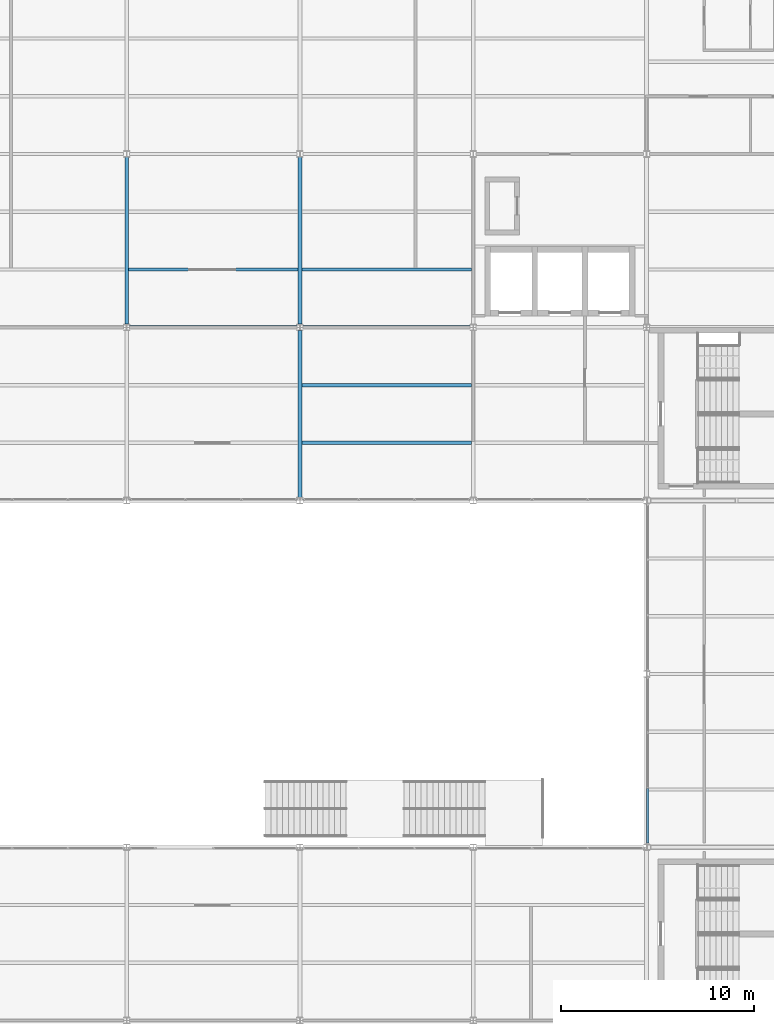
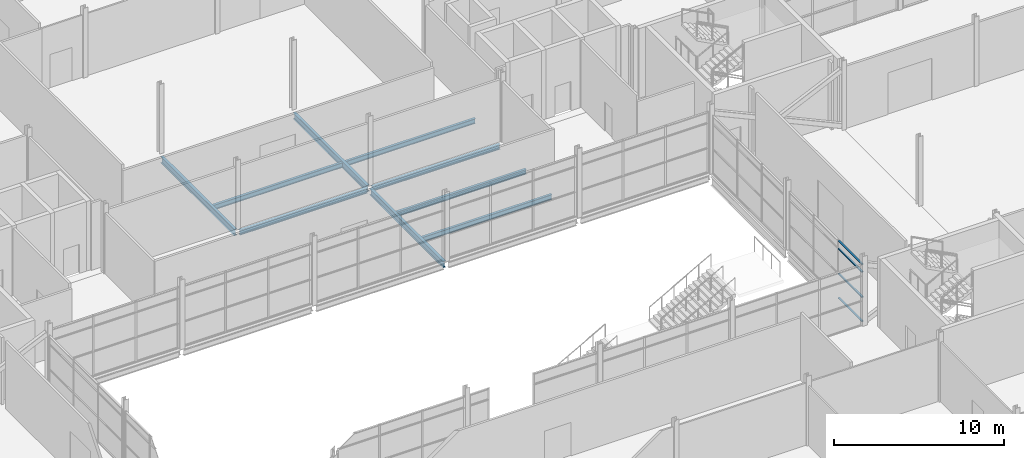
# One storey, part 49 of 112: 9 beams, 4 members, 1 element without a shape of its own.
"""IFC4 building model written with IfcOpenShell, lengths in metres."""

from ifc_helpers import new_model, si_unit, direction, frame, origin, origin_2d, place, context, subcontext, project, spatial, hollow_rectangle, i_section, extrude, material, layer, layer_set, material_profile, profile_set, type_object, element, aggregate, save


model = new_model("IFC4")

# Units and contexts
model_context = context("Model", 3, precision=1e-05, world=origin(), true_north=direction((0.0, 1.0)))
body_context = subcontext(model_context, "Body", "Model", "MODEL_VIEW")
ifc_project = project(units=[si_unit("LENGTHUNIT", "METRE"), si_unit("AREAUNIT", "SQUARE_METRE"), si_unit("VOLUMEUNIT", "CUBIC_METRE"), si_unit("PLANEANGLEUNIT", "RADIAN"), si_unit("MASSUNIT", "GRAM", prefix="KILO")], contexts=[model_context])

# Site, building, storey
site_placement = place(None, origin())
site = spatial("IfcSite", under=ifc_project, at=site_placement, CompositionType="ELEMENT")
building_placement = place(site_placement, origin())
building = spatial("IfcBuilding", under=site, at=building_placement, Name="Shorebreak Coast Museum", CompositionType="ELEMENT")
storey_placement = place(building_placement, frame((0.0, 0.0, 6.0)))
storey = spatial("IfcBuildingStorey", under=building, at=storey_placement, Name="L01", CompositionType="ELEMENT", Elevation=6.0)

# Beams
ifc_material_1 = material(Name="Steel Grade 300", Category="steel")
ifc_material_profile_1 = material_profile(ifc_material_1, i_section(OverallWidth=0.172119140625, OverallDepth=0.358642578125, WebThickness=0.008056640625, FlangeThickness=0.012939453125, FilletRadius=0.011474609375, at=origin_2d()), Name="360UB56.7")
ifc_profile_set_1 = profile_set([ifc_material_profile_1], Name="Steel Grade 300")
beam_type_1 = type_object("IfcBeamType", Name="Floor girder east-west 360UB56.7", PredefinedType="BEAM", material=ifc_profile_set_1)
for number, where, z_axis, x_axis, name in (
    (1, (81.155517578125, 90.0, -0.354248046875), (1.0, 0.0, 0.0), (0.0, 1.0, 0.0), "Floor girder east-west L01 10L"),
    (2, (90.155517578125, 90.0, -0.354248046875), (1.0, 0.0, 0.0), (0.0, 1.0, 0.0), "Floor girder east-west L01 11L"),
):
    element("IfcBeam", number, at=place(storey_placement, frame(where, z_axis=z_axis, x_axis=x_axis)), inside=storey, type_object=beam_type_1, Name=name, PredefinedType="BEAM", context=body_context, shape_type="SweptSolid", body=[
        extrude(i_section(OverallWidth=0.172119140625, OverallDepth=0.358642578125, WebThickness=0.008056640625, FlangeThickness=0.012939453125, FilletRadius=0.011474609375, at=origin_2d()), origin(), (0.0, 0.0, 1.0), 8.68896484375),
    ])
ifc_material_2 = material(Name="Steel Grade 300", Category="steel")
ifc_material_profile_2 = material_profile(ifc_material_2, i_section(OverallWidth=0.19091796875, OverallDepth=0.46044921875, WebThickness=0.010009765625, FlangeThickness=0.01611328125, FilletRadius=0.011474609375, at=origin_2d()), Name="460UB82.1")
ifc_profile_set_2 = profile_set([ifc_material_profile_2], Name="Steel Grade 300")
beam_type_2 = type_object("IfcBeamType", Name="Floor girder north-south 460UB82.1", PredefinedType="BEAM", material=ifc_profile_set_2)
beam_placement = place(storey_placement, frame((90.0, 81.16357421875, -0.4052734375), z_axis=(0.0, 1.0, 0.0), x_axis=(-1.0, 0.0, 0.0)))
element("IfcBeam", 3, at=beam_placement, inside=storey, type_object=beam_type_2, Name="Floor girder north-south L01 11K", PredefinedType="BEAM", context=body_context, shape_type="SweptSolid", body=[
    extrude(i_section(OverallWidth=0.19091796875, OverallDepth=0.46044921875, WebThickness=0.010009765625, FlangeThickness=0.01611328125, FilletRadius=0.011474609375, at=origin_2d()), origin(), (0.0, 0.0, 1.0), 8.6728515625),
])
for number, where, z_axis, x_axis, name in (
    (4, (81.0, 90.16357421875, -0.4052734375), (0.0, 1.0, 0.0), (-1.0, 0.0, 0.0), "Floor girder north-south L01 10L"),
    (5, (90.0, 90.16357421875, -0.4052734375), (0.0, 1.0, 0.0), (-1.0, 0.0, 0.0), "Floor girder north-south L01 11L"),
):
    element("IfcBeam", number, at=place(storey_placement, frame(where, z_axis=z_axis, x_axis=x_axis)), inside=storey, type_object=beam_type_2, Name=name, PredefinedType="BEAM", context=body_context, shape_type="SweptSolid", body=[
        extrude(i_section(OverallWidth=0.19091796875, OverallDepth=0.46044921875, WebThickness=0.010009765625, FlangeThickness=0.01611328125, FilletRadius=0.011474609375, at=origin_2d()), origin(), (0.0, 0.0, 1.0), 8.676025390625),
    ])
ifc_material_3 = material(Name="Steel Grade 300", Category="steel")
ifc_material_profile_3 = material_profile(ifc_material_3, i_section(OverallWidth=0.1708984375, OverallDepth=0.35205078125, WebThickness=0.0068359375, FlangeThickness=0.009765625, FilletRadius=0.011474609375, at=origin_2d()), Name="360UB44.7")
ifc_profile_set_3 = profile_set([ifc_material_profile_3], Name="Steel Grade 300")
beam_type_3 = type_object("IfcBeamType", Name="Floor joist 360UB44.7", PredefinedType="JOIST", material=ifc_profile_set_3)
for number, where, z_axis, x_axis, name in (
    (6, (90.095458984375, 84.0, -0.35107421875), (1.0, 0.0, 0.0), (0.0, 1.0, 0.0), "Floor joist L01 bay 11K at 3000 mm"),
    (7, (90.095458984375, 87.0, -0.35107421875), (1.0, 0.0, 0.0), (0.0, 1.0, 0.0), "Floor joist L01 bay 11K at 6000 mm"),
    (8, (81.095458984375, 93.0, -0.35107421875), (1.0, 0.0, 0.0), (0.0, 1.0, 0.0), "Floor joist L01 bay 10L at 3000 mm"),
    (9, (90.095458984375, 93.0, -0.35107421875), (1.0, 0.0, 0.0), (0.0, 1.0, 0.0), "Floor joist L01 bay 11L at 3000 mm"),
):
    element("IfcBeam", number, at=place(storey_placement, frame(where, z_axis=z_axis, x_axis=x_axis)), inside=storey, type_object=beam_type_3, Name=name, PredefinedType="JOIST", context=body_context, shape_type="SweptSolid", body=[
        extrude(i_section(OverallWidth=0.1708984375, OverallDepth=0.35205078125, WebThickness=0.0068359375, FlangeThickness=0.009765625, FilletRadius=0.011474609375, at=origin_2d()), origin(), (0.0, 0.0, 1.0), 8.80908203125),
    ])

# Curtain wall, members
ifc_material_4 = material(Name="Aluminium", Category="aluminium")
ifc_layer = layer(ifc_material_4, 0.1201171875)
ifc_layer_set = layer_set([ifc_layer], Name="Aluminium")
curtain_wall_type = type_object("IfcCurtainWallType", Name="Atrium fire screen", PredefinedType="NOTDEFINED", material=ifc_layer_set)
curtain_wall_placement = place(storey_placement, origin())
curtain_wall = element("IfcCurtainWall", 10, at=curtain_wall_placement, inside=storey, type_object=curtain_wall_type, Name="Atrium screen L01 E 14", PredefinedType="NOTDEFINED")
ifc_material_5 = material(Name="Aluminium", Category="aluminium")
ifc_material_profile_4 = material_profile(ifc_material_5, hollow_rectangle(XDim=0.1201171875, YDim=0.06005859375, WallThickness=0.00341796875, at=origin_2d()), Name="AL 60x120 RHS")
ifc_profile_set_4 = profile_set([ifc_material_profile_4], Name="Aluminium")
member_type = type_object("IfcMemberType", Name="Screen transom 120 x 50", PredefinedType="USERDEFINED", material=ifc_profile_set_4)
member_1_placement = place(storey_placement, frame((108.06005859375, 63.2275390625, 0.06005859375), z_axis=(0.0, 1.0, 0.0), x_axis=(-1.0, 0.0, 0.0)))
member_1 = element("IfcMember", 11, at=member_1_placement, type_object=member_type, Name="CW6 transom 1.1", ObjectType="TRANSOM", PredefinedType="USERDEFINED", context=body_context, shape_type="SweptSolid", body=[
    extrude(hollow_rectangle(XDim=0.1201171875, YDim=0.06005859375, WallThickness=0.00341796875, at=origin_2d()), origin(), (0.0, 0.0, 1.0), 2.811279296875),
])
member_2_placement = place(storey_placement, frame((108.06005859375, 63.2275390625, 1.800048828125), z_axis=(0.0, 1.0, 0.0), x_axis=(-1.0, 0.0, 0.0)))
member_2 = element("IfcMember", 12, at=member_2_placement, type_object=member_type, Name="CW6 transom 1.2", ObjectType="TRANSOM", PredefinedType="USERDEFINED", context=body_context, shape_type="SweptSolid", body=[
    extrude(hollow_rectangle(XDim=0.1201171875, YDim=0.06005859375, WallThickness=0.00341796875, at=origin_2d()), origin(), (0.0, 0.0, 1.0), 2.811279296875),
])
member_3_placement = place(storey_placement, frame((108.06005859375, 63.2275390625, 3.60009765625), z_axis=(0.0, 1.0, 0.0), x_axis=(-1.0, 0.0, 0.0)))
member_3 = element("IfcMember", 13, at=member_3_placement, type_object=member_type, Name="CW6 transom 1.3", ObjectType="TRANSOM", PredefinedType="USERDEFINED", context=body_context, shape_type="SweptSolid", body=[
    extrude(hollow_rectangle(XDim=0.1201171875, YDim=0.06005859375, WallThickness=0.00341796875, at=origin_2d()), origin(), (0.0, 0.0, 1.0), 2.811279296875),
])
member_4_placement = place(storey_placement, frame((108.06005859375, 63.2275390625, 4.157958984375), z_axis=(0.0, 1.0, 0.0), x_axis=(-1.0, 0.0, 0.0)))
member_4 = element("IfcMember", 14, at=member_4_placement, type_object=member_type, Name="CW6 transom 1.4", ObjectType="TRANSOM", PredefinedType="USERDEFINED", context=body_context, shape_type="SweptSolid", body=[
    extrude(hollow_rectangle(XDim=0.1201171875, YDim=0.06005859375, WallThickness=0.00341796875, at=origin_2d()), origin(), (0.0, 0.0, 1.0), 2.811279296875),
])
aggregate(curtain_wall, [member_1, member_2, member_3, member_4])

save(model, "model.ifc")
